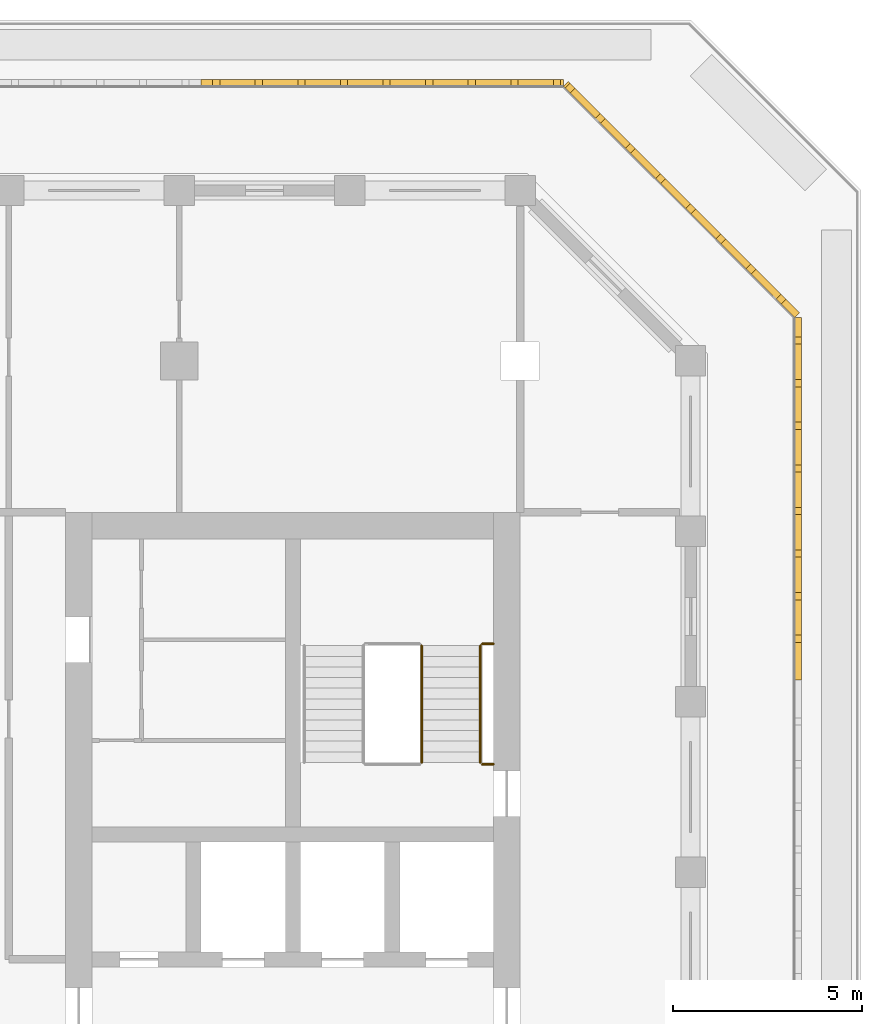
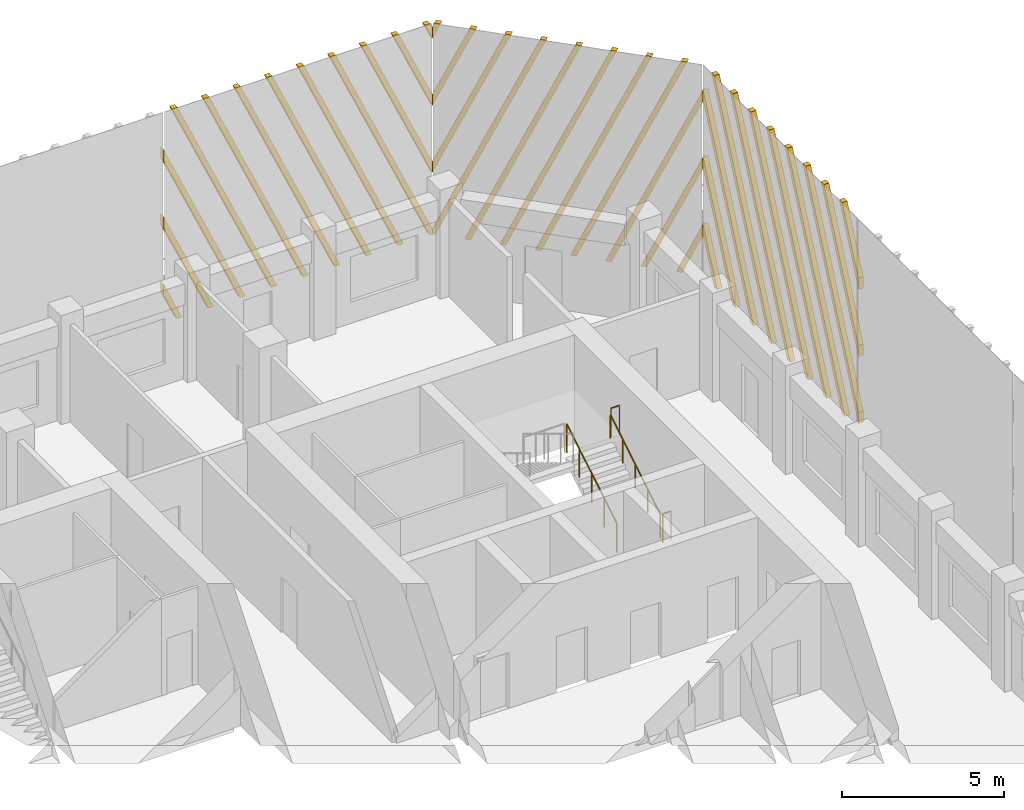
# One storey, part 13 of 14: 4 railings, 3 shading devices.
"""IFC4 building model written with IfcOpenShell, lengths in metres."""

from ifc_helpers import new_model, si_unit, direction, frame, origin, origin_2d, place, context, subcontext, project, spatial, polyline, circle, outline, extrude, source, transform, mapped, material, type_object, element, save


model = new_model("IFC4")

# Units and contexts
model_context = context("Model", 3, precision=1e-05, world=origin(), true_north=direction((0.0, 1.0)))
body_context = subcontext(model_context, "Body", "Model", "MODEL_VIEW")
ifc_project = project(units=[si_unit("LENGTHUNIT", "METRE"), si_unit("AREAUNIT", "SQUARE_METRE"), si_unit("VOLUMEUNIT", "CUBIC_METRE"), si_unit("PLANEANGLEUNIT", "RADIAN"), si_unit("MASSUNIT", "GRAM", prefix="KILO")], contexts=[model_context])

# Site, building, storey
site_placement = place(None, origin())
site = spatial("IfcSite", under=ifc_project, at=site_placement, CompositionType="ELEMENT")
building_placement = place(site_placement, origin())
building = spatial("IfcBuilding", under=site, at=building_placement, Name="Corbel Stack Research Tower", CompositionType="ELEMENT")
storey_placement = place(building_placement, frame((0.0, 0.0, 266.300048828125)))
storey = spatial("IfcBuildingStorey", under=building, at=storey_placement, Name="L60", CompositionType="ELEMENT", Elevation=266.300048828125)

# Railings
ifc_material_1 = material(Name="Steel S355", Category="steel")
railing_type_1 = type_object("IfcRailingType", Name="Stair guard 1100", PredefinedType="GUARDRAIL", material=ifc_material_1)
railing_1_placement = place(storey_placement, frame((15.39990234375, 11.89990234375, 0.1708984375)))
element("IfcRailing", 1, at=railing_1_placement, inside=storey, type_object=railing_type_1, Name="L60 ST-E2 stair guard 1", PredefinedType="GUARDRAIL", context=body_context, shape_type="SweptSolid", body=[
    extrude(circle(Radius=0.02392578125, at=origin_2d()), frame((0.0, 0.0, 1.076171875), z_axis=(0.0, 0.853666305674, 0.52082035152), x_axis=(-1.0, 0.0, 0.0)), (0.0, 0.0, 1.0), 3.608154296875),
    extrude(circle(Radius=0.02099609375, at=origin_2d()), origin(), (0.0, 0.0, 1.0), 1.052001953125),
    extrude(circle(Radius=0.02099609375, at=origin_2d()), frame((0.0, 0.77001953125, 0.4697265625)), (0.0, 0.0, 1.0), 1.052001953125),
    extrude(circle(Radius=0.02099609375, at=origin_2d()), frame((0.0, 1.5400390625, 0.939453125)), (0.0, 0.0, 1.0), 1.052001953125),
    extrude(circle(Radius=0.02099609375, at=origin_2d()), frame((0.0, 2.31005859375, 1.409423828125)), (0.0, 0.0, 1.0), 1.052001953125),
    extrude(circle(Radius=0.02099609375, at=origin_2d()), frame((0.0, 3.080078125, 1.879150390625)), (0.0, 0.0, 1.0), 1.052001953125),
])
for number, where, name in (
    (2, (17.300048828125, 15.030029296875, 2.050048828125), "L60 ST-E2 stair guard 3"),
    (3, (17.300048828125, 11.85009765625, 0.0), "L60 ST-E2 stair guard 6"),
):
    element("IfcRailing", number, at=place(storey_placement, frame(where)), inside=storey, type_object=railing_type_1, Name=name, PredefinedType="GUARDRAIL", context=body_context, shape_type="SweptSolid", body=[
        extrude(circle(Radius=0.02392578125, at=origin_2d()), frame((0.0, 0.0, 1.076171875), z_axis=(-1.0, 0.0, 0.0), x_axis=(0.0, -1.0, 0.0)), (0.0, 0.0, 1.0), 0.300048828125),
        extrude(circle(Radius=0.02099609375, at=origin_2d()), origin(), (0.0, 0.0, 1.0), 1.052001953125),
        extrude(circle(Radius=0.02099609375, at=origin_2d()), frame((-0.300048828125, 0.0, 0.0)), (0.0, 0.0, 1.0), 1.052001953125),
    ])
ifc_material_2 = material(Name="Steel S355", Category="steel")
railing_type_2 = type_object("IfcRailingType", Name="Stair handrail 900", PredefinedType="HANDRAIL", material=ifc_material_2)
railing_2_placement = place(storey_placement, frame((16.949951171875, 11.89990234375, 0.1708984375)))
element("IfcRailing", 4, at=railing_2_placement, inside=storey, type_object=railing_type_2, Name="L60 ST-E2 stair handrail 1", PredefinedType="HANDRAIL", context=body_context, shape_type="SweptSolid", body=[
    extrude(circle(Radius=0.02392578125, at=origin_2d()), frame((0.0, 0.0, 0.8759765625), z_axis=(0.0, 0.853666305674, 0.52082035152), x_axis=(-1.0, 0.0, 0.0)), (0.0, 0.0, 1.0), 3.608154296875),
    extrude(circle(Radius=0.02099609375, at=origin_2d()), origin(), (0.0, 0.0, 1.0), 0.851806640625),
    extrude(circle(Radius=0.02099609375, at=origin_2d()), frame((0.0, 0.77001953125, 0.4697265625)), (0.0, 0.0, 1.0), 0.851806640625),
    extrude(circle(Radius=0.02099609375, at=origin_2d()), frame((0.0, 1.5400390625, 0.939453125)), (0.0, 0.0, 1.0), 0.851806640625),
    extrude(circle(Radius=0.02099609375, at=origin_2d()), frame((0.0, 2.31005859375, 1.409423828125)), (0.0, 0.0, 1.0), 0.851806640625),
    extrude(circle(Radius=0.02099609375, at=origin_2d()), frame((0.0, 3.080078125, 1.879150390625)), (0.0, 0.0, 1.0), 0.851806640625),
])

# Shading devices
ifc_material_3 = material(Name="Precast terracotta", Category="masonry")
shading_device_type = type_object("IfcShadingDeviceType", Name="Terracotta screen panel", PredefinedType="USERDEFINED", material=ifc_material_3)
shared_shape_1 = source(origin(), body_context, "Body", "SweptSolid", [
    extrude(outline(polyline([(0.259521484375, 7.949951171875), (0.069580078125, 7.949951171875), (0.0, 7.793701171875), (0.0, 7.366943359375), (0.259521484375, 7.949951171875)])), frame((0.0, 0.0, 0.0), z_axis=(0.0, -1.0, 0.0), x_axis=(1.0, 0.0, 0.0)), (0.0, 0.0, 1.0), 0.179931640625),
    extrude(outline(polyline([(1.384521484375, 7.949951171875), (1.194580078125, 7.949951171875), (0.0, 5.26708984375), (0.0, 4.840087890625), (1.384521484375, 7.949951171875)])), frame((0.0, 0.0, 0.0), z_axis=(0.0, -1.0, 0.0), x_axis=(1.0, 0.0, 0.0)), (0.0, 0.0, 1.0), 0.179931640625),
    extrude(outline(polyline([(2.509521484375, 7.949951171875), (2.319580078125, 7.949951171875), (0.0, 2.740234375), (0.0, 2.3134765625), (2.509521484375, 7.949951171875)])), frame((0.0, 0.0, 0.0), z_axis=(0.0, -1.0, 0.0), x_axis=(1.0, 0.0, 0.0)), (0.0, 0.0, 1.0), 0.179931640625),
    extrude(outline(polyline([(0.094970703125, 0.0), (3.634521484375, 7.949951171875), (3.444580078125, 7.949951171875), (0.0, 0.21337890625), (0.0, 0.0), (0.094970703125, 0.0)])), frame((0.0, 0.0, 0.0), z_axis=(0.0, -1.0, 0.0), x_axis=(1.0, 0.0, 0.0)), (0.0, 0.0, 1.0), 0.179931640625),
    extrude(outline(polyline([(1.219970703125, 0.0), (4.759521484375, 7.949951171875), (4.569580078125, 7.949951171875), (1.030029296875, 0.0), (1.219970703125, 0.0)])), frame((0.0, 0.0, 0.0), z_axis=(0.0, -1.0, 0.0), x_axis=(1.0, 0.0, 0.0)), (0.0, 0.0, 1.0), 0.179931640625),
    extrude(outline(polyline([(2.344970703125, 0.0), (5.884521484375, 7.949951171875), (5.694580078125, 7.949951171875), (2.155029296875, 0.0), (2.344970703125, 0.0)])), frame((0.0, 0.0, 0.0), z_axis=(0.0, -1.0, 0.0), x_axis=(1.0, 0.0, 0.0)), (0.0, 0.0, 1.0), 0.179931640625),
    extrude(outline(polyline([(3.469970703125, 0.0), (7.009521484375, 7.949951171875), (6.819580078125, 7.949951171875), (3.280029296875, 0.0), (3.469970703125, 0.0)])), frame((0.0, 0.0, 0.0), z_axis=(0.0, -1.0, 0.0), x_axis=(1.0, 0.0, 0.0)), (0.0, 0.0, 1.0), 0.179931640625),
    extrude(outline(polyline([(4.594970703125, 0.0), (8.134521484375, 7.949951171875), (7.944580078125, 7.949951171875), (4.405029296875, 0.0), (4.594970703125, 0.0)])), frame((0.0, 0.0, 0.0), z_axis=(0.0, -1.0, 0.0), x_axis=(1.0, 0.0, 0.0)), (0.0, 0.0, 1.0), 0.179931640625),
    extrude(outline(polyline([(5.719970703125, 0.0), (9.259521484375, 7.949951171875), (9.069580078125, 7.949951171875), (5.530029296875, 0.0), (5.719970703125, 0.0)])), frame((0.0, 0.0, 0.0), z_axis=(0.0, -1.0, 0.0), x_axis=(1.0, 0.0, 0.0)), (0.0, 0.0, 1.0), 0.179931640625),
    extrude(outline(polyline([(6.844970703125, 0.0), (9.569580078125, 6.119384765625), (9.569580078125, 6.546142578125), (6.655029296875, 0.0), (6.844970703125, 0.0)])), frame((0.0, 0.0, 0.0), z_axis=(0.0, -1.0, 0.0), x_axis=(1.0, 0.0, 0.0)), (0.0, 0.0, 1.0), 0.179931640625),
    extrude(outline(polyline([(7.969970703125, 0.0), (9.569580078125, 3.592529296875), (9.569580078125, 4.019287109375), (7.780029296875, 0.0), (7.969970703125, 0.0)])), frame((0.0, 0.0, 0.0), z_axis=(0.0, -1.0, 0.0), x_axis=(1.0, 0.0, 0.0)), (0.0, 0.0, 1.0), 0.179931640625),
    extrude(outline(polyline([(9.094970703125, 0.0), (9.569580078125, 1.06591796875), (9.569580078125, 1.49267578125), (8.905029296875, 0.0), (9.094970703125, 0.0)])), frame((0.0, 0.0, 0.0), z_axis=(0.0, -1.0, 0.0), x_axis=(1.0, 0.0, 0.0)), (0.0, 0.0, 1.0), 0.179931640625),
])
shading_device_1_placement = place(storey_placement, frame((19.13916015625, 29.75, 0.0), z_axis=(0.0, 0.0, 1.0), x_axis=(-1.0, 0.0, 0.0)))
element("IfcShadingDevice", 5, at=shading_device_1_placement, inside=storey, type_object=shading_device_type, Name="Terracotta screen L60 N1", ObjectType="SCREEN", PredefinedType="USERDEFINED", context=body_context, shape_type="MappedRepresentation", body=[
    mapped(shared_shape_1, transform((0.0, 0.0, 0.0))),
])
shared_shape_2 = source(origin(), body_context, "Body", "SweptSolid", [
    extrude(outline(polyline([(0.862060546875, 0.0), (0.0, 1.936279296875), (0.0, 1.509521484375), (0.672119140625, 0.0), (0.862060546875, 0.0)])), frame((0.0, 0.0, 0.0), z_axis=(0.0, -1.0, 0.0), x_axis=(1.0, 0.0, 0.0)), (0.0, 0.0, 1.0), 0.179931640625),
    extrude(outline(polyline([(1.987060546875, 0.0), (0.0, 4.463134765625), (0.0, 4.036376953125), (1.797119140625, 0.0), (1.987060546875, 0.0)])), frame((0.0, 0.0, 0.0), z_axis=(0.0, -1.0, 0.0), x_axis=(1.0, 0.0, 0.0)), (0.0, 0.0, 1.0), 0.179931640625),
    extrude(outline(polyline([(3.112060546875, 0.0), (0.0, 6.989990234375), (0.0, 6.563232421875), (2.922119140625, 0.0), (3.112060546875, 0.0)])), frame((0.0, 0.0, 0.0), z_axis=(0.0, -1.0, 0.0), x_axis=(1.0, 0.0, 0.0)), (0.0, 0.0, 1.0), 0.179931640625),
    extrude(outline(polyline([(4.237060546875, 0.0), (0.697509765625, 7.949951171875), (0.507568359375, 7.949951171875), (4.047119140625, 0.0), (4.237060546875, 0.0)])), frame((0.0, 0.0, 0.0), z_axis=(0.0, -1.0, 0.0), x_axis=(1.0, 0.0, 0.0)), (0.0, 0.0, 1.0), 0.179931640625),
    extrude(outline(polyline([(5.362060546875, 0.0), (1.822509765625, 7.949951171875), (1.632568359375, 7.949951171875), (5.172119140625, 0.0), (5.362060546875, 0.0)])), frame((0.0, 0.0, 0.0), z_axis=(0.0, -1.0, 0.0), x_axis=(1.0, 0.0, 0.0)), (0.0, 0.0, 1.0), 0.179931640625),
    extrude(outline(polyline([(6.487060546875, 0.0), (2.947509765625, 7.949951171875), (2.757568359375, 7.949951171875), (6.297119140625, 0.0), (6.487060546875, 0.0)])), frame((0.0, 0.0, 0.0), z_axis=(0.0, -1.0, 0.0), x_axis=(1.0, 0.0, 0.0)), (0.0, 0.0, 1.0), 0.179931640625),
    extrude(outline(polyline([(7.612060546875, 0.0), (4.072509765625, 7.949951171875), (3.882568359375, 7.949951171875), (7.422119140625, 0.0), (7.612060546875, 0.0)])), frame((0.0, 0.0, 0.0), z_axis=(0.0, -1.0, 0.0), x_axis=(1.0, 0.0, 0.0)), (0.0, 0.0, 1.0), 0.179931640625),
    extrude(outline(polyline([(8.64208984375, 0.0), (8.64208984375, 0.21337890625), (5.197509765625, 7.949951171875), (5.007568359375, 7.949951171875), (8.547119140625, 0.0), (8.64208984375, 0.0)])), frame((0.0, 0.0, 0.0), z_axis=(0.0, -1.0, 0.0), x_axis=(1.0, 0.0, 0.0)), (0.0, 0.0, 1.0), 0.179931640625),
    extrude(outline(polyline([(6.322509765625, 7.949951171875), (6.132568359375, 7.949951171875), (8.64208984375, 2.3134765625), (8.64208984375, 2.740234375), (6.322509765625, 7.949951171875)])), frame((0.0, 0.0, 0.0), z_axis=(0.0, -1.0, 0.0), x_axis=(1.0, 0.0, 0.0)), (0.0, 0.0, 1.0), 0.179931640625),
    extrude(outline(polyline([(7.447509765625, 7.949951171875), (7.257568359375, 7.949951171875), (8.64208984375, 4.840087890625), (8.64208984375, 5.26708984375), (7.447509765625, 7.949951171875)])), frame((0.0, 0.0, 0.0), z_axis=(0.0, -1.0, 0.0), x_axis=(1.0, 0.0, 0.0)), (0.0, 0.0, 1.0), 0.179931640625),
    extrude(outline(polyline([(8.572509765625, 7.949951171875), (8.382568359375, 7.949951171875), (8.64208984375, 7.366943359375), (8.64208984375, 7.793701171875), (8.572509765625, 7.949951171875)])), frame((0.0, 0.0, 0.0), z_axis=(0.0, -1.0, 0.0), x_axis=(1.0, 0.0, 0.0)), (0.0, 0.0, 1.0), 0.179931640625),
])
shading_device_2_placement = place(storey_placement, frame((25.25, 23.63916015625, 0.0), z_axis=(0.0, 0.0, 1.0), x_axis=(-0.707106781187, 0.707106781187, 0.0)))
element("IfcShadingDevice", 6, at=shading_device_2_placement, inside=storey, type_object=shading_device_type, Name="Terracotta screen L60 NE1", ObjectType="SCREEN", PredefinedType="USERDEFINED", context=body_context, shape_type="MappedRepresentation", body=[
    mapped(shared_shape_2, transform((0.0, 0.0, 0.0))),
])
shared_shape_3 = source(origin(), body_context, "Body", "SweptSolid", [
    extrude(outline(polyline([(1.18701171875, 7.949951171875), (0.9970703125, 7.949951171875), (0.0, 5.710693359375), (0.0, 5.283935546875), (1.18701171875, 7.949951171875)])), frame((0.0, 0.0, 0.0), z_axis=(0.0, -1.0, 0.0), x_axis=(1.0, 0.0, 0.0)), (0.0, 0.0, 1.0), 0.179931640625),
    extrude(outline(polyline([(2.31201171875, 7.949951171875), (2.1220703125, 7.949951171875), (0.0, 3.18408203125), (0.0, 2.757080078125), (2.31201171875, 7.949951171875)])), frame((0.0, 0.0, 0.0), z_axis=(0.0, -1.0, 0.0), x_axis=(1.0, 0.0, 0.0)), (0.0, 0.0, 1.0), 0.179931640625),
    extrude(outline(polyline([(3.43701171875, 7.949951171875), (3.2470703125, 7.949951171875), (0.0, 0.6572265625), (0.0, 0.23046875), (3.43701171875, 7.949951171875)])), frame((0.0, 0.0, 0.0), z_axis=(0.0, -1.0, 0.0), x_axis=(1.0, 0.0, 0.0)), (0.0, 0.0, 1.0), 0.179931640625),
    extrude(outline(polyline([(1.0224609375, 0.0), (4.56201171875, 7.949951171875), (4.3720703125, 7.949951171875), (0.83251953125, 0.0), (1.0224609375, 0.0)])), frame((0.0, 0.0, 0.0), z_axis=(0.0, -1.0, 0.0), x_axis=(1.0, 0.0, 0.0)), (0.0, 0.0, 1.0), 0.179931640625),
    extrude(outline(polyline([(2.1474609375, 0.0), (5.68701171875, 7.949951171875), (5.4970703125, 7.949951171875), (1.95751953125, 0.0), (2.1474609375, 0.0)])), frame((0.0, 0.0, 0.0), z_axis=(0.0, -1.0, 0.0), x_axis=(1.0, 0.0, 0.0)), (0.0, 0.0, 1.0), 0.179931640625),
    extrude(outline(polyline([(3.2724609375, 0.0), (6.81201171875, 7.949951171875), (6.6220703125, 7.949951171875), (3.08251953125, 0.0), (3.2724609375, 0.0)])), frame((0.0, 0.0, 0.0), z_axis=(0.0, -1.0, 0.0), x_axis=(1.0, 0.0, 0.0)), (0.0, 0.0, 1.0), 0.179931640625),
    extrude(outline(polyline([(4.3974609375, 0.0), (7.93701171875, 7.949951171875), (7.7470703125, 7.949951171875), (4.20751953125, 0.0), (4.3974609375, 0.0)])), frame((0.0, 0.0, 0.0), z_axis=(0.0, -1.0, 0.0), x_axis=(1.0, 0.0, 0.0)), (0.0, 0.0, 1.0), 0.179931640625),
    extrude(outline(polyline([(5.5224609375, 0.0), (9.06201171875, 7.949951171875), (8.8720703125, 7.949951171875), (5.33251953125, 0.0), (5.5224609375, 0.0)])), frame((0.0, 0.0, 0.0), z_axis=(0.0, -1.0, 0.0), x_axis=(1.0, 0.0, 0.0)), (0.0, 0.0, 1.0), 0.179931640625),
    extrude(outline(polyline([(6.6474609375, 0.0), (9.569580078125, 6.563232421875), (9.569580078125, 6.989990234375), (6.45751953125, 0.0), (6.6474609375, 0.0)])), frame((0.0, 0.0, 0.0), z_axis=(0.0, -1.0, 0.0), x_axis=(1.0, 0.0, 0.0)), (0.0, 0.0, 1.0), 0.179931640625),
    extrude(outline(polyline([(7.7724609375, 0.0), (9.569580078125, 4.036376953125), (9.569580078125, 4.463134765625), (7.58251953125, 0.0), (7.7724609375, 0.0)])), frame((0.0, 0.0, 0.0), z_axis=(0.0, -1.0, 0.0), x_axis=(1.0, 0.0, 0.0)), (0.0, 0.0, 1.0), 0.179931640625),
    extrude(outline(polyline([(8.8974609375, 0.0), (9.569580078125, 1.509521484375), (9.569580078125, 1.936279296875), (8.70751953125, 0.0), (8.8974609375, 0.0)])), frame((0.0, 0.0, 0.0), z_axis=(0.0, -1.0, 0.0), x_axis=(1.0, 0.0, 0.0)), (0.0, 0.0, 1.0), 0.179931640625),
])
shading_device_3_placement = place(storey_placement, frame((25.25, 14.069580078125, 0.0), z_axis=(0.0, 0.0, 1.0), x_axis=(0.0, 1.0, 0.0)))
element("IfcShadingDevice", 7, at=shading_device_3_placement, inside=storey, type_object=shading_device_type, Name="Terracotta screen L60 E4", ObjectType="SCREEN", PredefinedType="USERDEFINED", context=body_context, shape_type="MappedRepresentation", body=[
    mapped(shared_shape_3, transform((0.0, 0.0, 0.0))),
])

save(model, "model.ifc")
